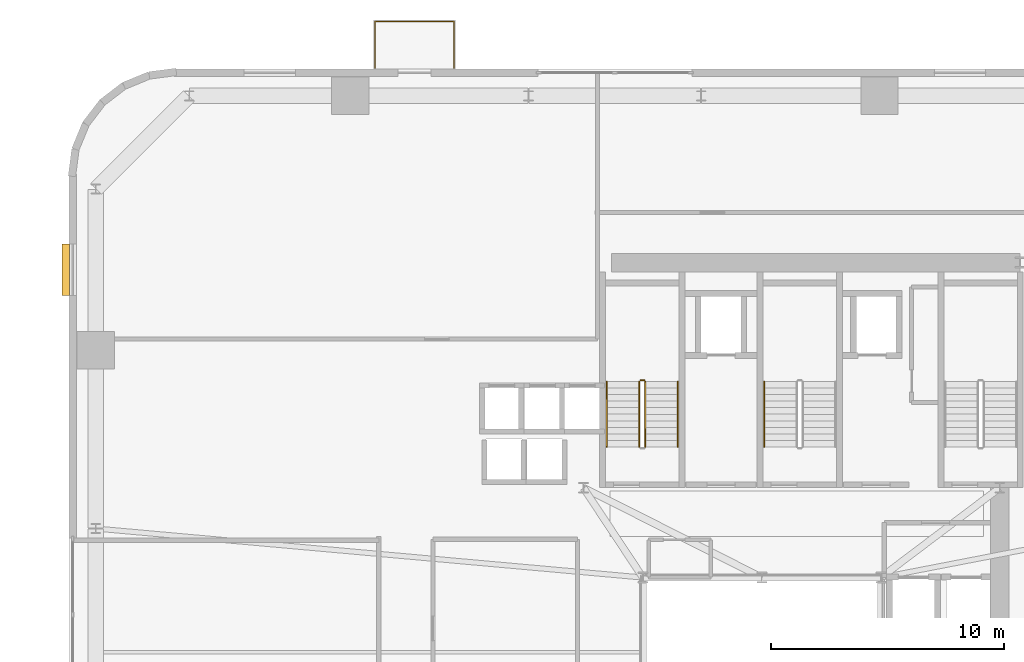
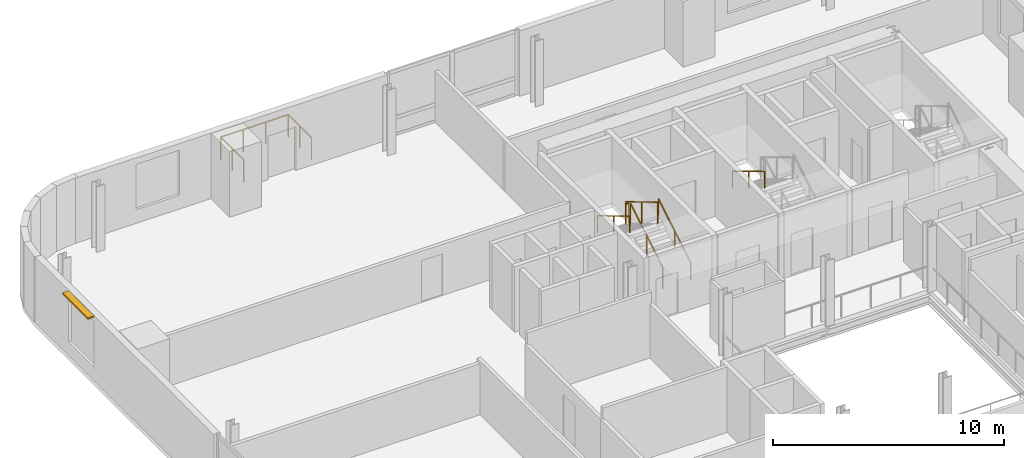
# One storey, part 13 of 14: 7 railings, 1 shading device.
"""IFC4 building model written with IfcOpenShell, lengths in metres."""

from ifc_helpers import new_model, si_unit, direction, frame, origin, origin_2d, place, context, subcontext, project, spatial, rectangle, extrude, source, transform, mapped, material, layer, layer_set, type_object, element, save


model = new_model("IFC4")

# Units and contexts
model_context = context("Model", 3, precision=1e-05, world=origin(), true_north=direction((0.0, 1.0)))
body_context = subcontext(model_context, "Body", "Model", "MODEL_VIEW")
ifc_project = project(units=[si_unit("LENGTHUNIT", "METRE"), si_unit("AREAUNIT", "SQUARE_METRE"), si_unit("VOLUMEUNIT", "CUBIC_METRE"), si_unit("PLANEANGLEUNIT", "RADIAN"), si_unit("MASSUNIT", "GRAM", prefix="KILO")], contexts=[model_context])

# Site, building, storey
site_placement = place(None, origin())
site = spatial("IfcSite", under=ifc_project, at=site_placement, CompositionType="ELEMENT")
building_placement = place(site_placement, origin())
building = spatial("IfcBuilding", under=site, at=building_placement, Name="Vardaveli Station Tower", CompositionType="ELEMENT")
storey_placement = place(building_placement, frame((0.0, 0.0, 122.39990234375)))
storey = spatial("IfcBuildingStorey", under=building, at=storey_placement, Name="L31", CompositionType="ELEMENT", Elevation=122.39990234375)

# Railing
ifc_material_1 = material(Name="Laminated glass and stainless steel balustrade", Category="steel")
railing_type_1 = type_object("IfcRailingType", Name="RL-BAL-1200", PredefinedType="BALUSTRADE", material=ifc_material_1)
shared_shape_1 = source(origin(), body_context, "Body", "SweptSolid", [
    extrude(rectangle(XDim=0.048095703125, YDim=0.048095703125, at=origin_2d()), frame((0.0, 0.0, 1.17578125), z_axis=(0.0, 1.0, 0.0), x_axis=(-1.0, 0.0, 0.0)), (0.0, 0.0, 1.0), 2.0),
    extrude(rectangle(XDim=0.048095703125, YDim=0.048095703125, at=origin_2d()), frame((0.0, 2.0, 1.17578125), z_axis=(1.0, 0.0, 0.0), x_axis=(0.0, 1.0, 0.0)), (0.0, 0.0, 1.0), 3.3798828125),
    extrude(rectangle(XDim=0.048095703125, YDim=0.048095703125, at=origin_2d()), frame((3.3798828125, 2.0, 1.17578125), z_axis=(0.0, -1.0, 0.0), x_axis=(1.0, 0.0, 0.0)), (0.0, 0.0, 1.0), 2.0),
    extrude(rectangle(XDim=0.0419921875, YDim=0.0419921875, at=origin_2d()), origin(), (0.0, 0.0, 1.0), 1.15185546875),
    extrude(rectangle(XDim=0.0419921875, YDim=0.0419921875, at=origin_2d()), frame((0.0, 1.0, 0.0)), (0.0, 0.0, 1.0), 1.15185546875),
    extrude(rectangle(XDim=0.0419921875, YDim=0.0419921875, at=origin_2d()), frame((0.0, 2.0, 0.0)), (0.0, 0.0, 1.0), 1.15185546875),
    extrude(rectangle(XDim=0.0419921875, YDim=0.0419921875, at=origin_2d()), frame((1.126708984375, 2.0, 0.0)), (0.0, 0.0, 1.0), 1.15185546875),
    extrude(rectangle(XDim=0.0419921875, YDim=0.0419921875, at=origin_2d()), frame((2.253173828125, 2.0, 0.0)), (0.0, 0.0, 1.0), 1.15185546875),
    extrude(rectangle(XDim=0.0419921875, YDim=0.0419921875, at=origin_2d()), frame((3.3798828125, 2.0, 0.0)), (0.0, 0.0, 1.0), 1.15185546875),
    extrude(rectangle(XDim=0.0419921875, YDim=0.0419921875, at=origin_2d()), frame((3.3798828125, 1.0, 0.0)), (0.0, 0.0, 1.0), 1.15185546875),
    extrude(rectangle(XDim=0.0419921875, YDim=0.0419921875, at=origin_2d()), frame((3.3798828125, 0.0, 0.0)), (0.0, 0.0, 1.0), 1.15185546875),
])
railing_1_placement = place(storey_placement, frame((19.720458984375, 48.639892578125, 0.0)))
element("IfcRailing", 1, at=railing_1_placement, inside=storey, type_object=railing_type_1, Name="RL-LOG-L31-02", PredefinedType="BALUSTRADE", context=body_context, shape_type="MappedRepresentation", body=[
    mapped(shared_shape_1, transform((0.0, 0.0, 0.0), scale=1.0)),
])

# Shading device
ifc_material_2 = material(Name="Anodised champagne aluminium sunshade", Category="aluminium")
ifc_layer = layer(ifc_material_2, 0.090087890625, Name="Anodised champagne aluminium sunshade")
ifc_layer_set = layer_set([ifc_layer], Name="Anodised champagne aluminium sunshade")
shading_device_type = type_object("IfcShadingDeviceType", Name="SHD-SUNSHADE", PredefinedType="USERDEFINED", material=ifc_layer_set)
shared_shape_2 = source(origin(), body_context, "Body", "SweptSolid", [
    extrude(rectangle(XDim=2.199951171875, YDim=0.320068359375, at=origin_2d()), origin(), (0.0, 0.0, 1.0), 0.090087890625),
])
shading_device_placement = place(storey_placement, frame((6.455078125, 39.9951171875, 3.33984375), z_axis=(0.0, 0.0, 1.0), x_axis=(0.0, 1.0, 0.0)))
element("IfcShadingDevice", 2, at=shading_device_placement, inside=storey, type_object=shading_device_type, Name="SHD-SS-L31-W", ObjectType="SUNSHADE", PredefinedType="USERDEFINED", context=body_context, shape_type="MappedRepresentation", body=[
    mapped(shared_shape_2, transform((0.0, 0.0, 0.0), scale=1.0)),
])

# Railings
ifc_material_3 = material(Name="Brushed AISI 316 stainless steel", Category="steel")
railing_type_2 = type_object("IfcRailingType", Name="RL-GUARD-1150", PredefinedType="GUARDRAIL", material=ifc_material_3)
shared_shape_3 = source(origin(), body_context, "Body", "SweptSolid", [
    extrude(rectangle(XDim=0.048095703125, YDim=0.048095703125, at=origin_2d()), frame((0.0, 0.0, 1.1259765625), z_axis=(-1.0, 0.0, 0.0), x_axis=(0.0, -1.0, 0.0)), (0.0, 0.0, 1.0), 0.14990234375),
    extrude(rectangle(XDim=0.0419921875, YDim=0.0419921875, at=origin_2d()), origin(), (0.0, 0.0, 1.0), 1.101806640625),
    extrude(rectangle(XDim=0.0419921875, YDim=0.0419921875, at=origin_2d()), frame((-0.14990234375, 0.0, 0.0)), (0.0, 0.0, 1.0), 1.101806640625),
])
railing_2_placement = place(storey_placement, frame((31.25, 35.25, 1.85009765625)))
element("IfcRailing", 3, at=railing_2_placement, inside=storey, type_object=railing_type_2, Name="L31 ST-1 stair guard 2", PredefinedType="GUARDRAIL", context=body_context, shape_type="MappedRepresentation", body=[
    mapped(shared_shape_3, transform((0.0, 0.0, 0.0), scale=1.0)),
])
shared_shape_4 = source(origin(), body_context, "Body", "SweptSolid", [
    extrude(rectangle(XDim=0.048095703125, YDim=0.048095703125, at=origin_2d()), frame((0.0, 0.0, 1.1259765625), z_axis=(0.0, -0.857242210791, 0.514913383045), x_axis=(1.0, 0.0, 0.0)), (0.0, 0.0, 1.0), 3.266357421875),
    extrude(rectangle(XDim=0.0419921875, YDim=0.0419921875, at=origin_2d()), origin(), (0.0, 0.0, 1.0), 1.101806640625),
    extrude(rectangle(XDim=0.0419921875, YDim=0.0419921875, at=origin_2d()), frame((0.0, -1.39990234375, 0.8408203125)), (0.0, 0.0, 1.0), 1.101806640625),
    extrude(rectangle(XDim=0.0419921875, YDim=0.0419921875, at=origin_2d()), frame((0.0, -2.800048828125, 1.681884765625)), (0.0, 0.0, 1.0), 1.101806640625),
])
railing_3_placement = place(storey_placement, frame((31.050048828125, 35.199951171875, 2.018310546875)))
element("IfcRailing", 4, at=railing_3_placement, inside=storey, type_object=railing_type_2, Name="L31 ST-1 stair guard 3", PredefinedType="GUARDRAIL", context=body_context, shape_type="MappedRepresentation", body=[
    mapped(shared_shape_4, transform((0.0, 0.0, 0.0), scale=1.0)),
])
railing_type_3 = type_object("IfcRailingType", Name="RL-HAND-900", PredefinedType="HANDRAIL", material=ifc_material_3)
shared_shape_5 = source(origin(), body_context, "Body", "SweptSolid", [
    extrude(rectangle(XDim=0.048095703125, YDim=0.048095703125, at=origin_2d()), frame((0.0, 0.0, 0.8759765625), z_axis=(0.0, -0.857242210791, 0.514913383045), x_axis=(1.0, 0.0, 0.0)), (0.0, 0.0, 1.0), 3.266357421875),
    extrude(rectangle(XDim=0.0419921875, YDim=0.0419921875, at=origin_2d()), origin(), (0.0, 0.0, 1.0), 0.851806640625),
    extrude(rectangle(XDim=0.0419921875, YDim=0.0419921875, at=origin_2d()), frame((0.0, -1.39990234375, 0.8408203125)), (0.0, 0.0, 1.0), 0.851806640625),
    extrude(rectangle(XDim=0.0419921875, YDim=0.0419921875, at=origin_2d()), frame((0.0, -2.800048828125, 1.681884765625)), (0.0, 0.0, 1.0), 0.851806640625),
])
for number, where, name in (
    (5, (29.64990234375, 35.199951171875, 2.018310546875), "L31 ST-1 stair handrail 2"),
    (6, (36.39990234375, 35.199951171875, 2.018310546875), "L31 ST-2 stair handrail 2"),
):
    element("IfcRailing", number, at=place(storey_placement, frame(where)), inside=storey, type_object=railing_type_3, Name=name, PredefinedType="HANDRAIL", context=body_context, shape_type="MappedRepresentation", body=[
        mapped(shared_shape_5, transform((0.0, 0.0, 0.0), scale=1.0)),
    ])
shared_shape_6 = source(origin(), body_context, "Body", "SweptSolid", [
    extrude(rectangle(XDim=0.048095703125, YDim=0.048095703125, at=origin_2d()), frame((0.0, 0.0, 1.1259765625), z_axis=(0.0, 0.857242210791, 0.514913383045), x_axis=(-1.0, 0.0, 0.0)), (0.0, 0.0, 1.0), 3.266357421875),
    extrude(rectangle(XDim=0.0419921875, YDim=0.0419921875, at=origin_2d()), origin(), (0.0, 0.0, 1.0), 1.101806640625),
    extrude(rectangle(XDim=0.0419921875, YDim=0.0419921875, at=origin_2d()), frame((0.0, 1.39990234375, 0.8408203125)), (0.0, 0.0, 1.0), 1.101806640625),
    extrude(rectangle(XDim=0.0419921875, YDim=0.0419921875, at=origin_2d()), frame((0.0, 2.800048828125, 1.681884765625)), (0.0, 0.0, 1.0), 1.101806640625),
])
railing_4_placement = place(storey_placement, frame((31.300048828125, 32.39990234375, 0.168212890625)))
element("IfcRailing", 7, at=railing_4_placement, inside=storey, type_object=railing_type_2, Name="L31 ST-1 stair guard 1", PredefinedType="GUARDRAIL", context=body_context, shape_type="MappedRepresentation", body=[
    mapped(shared_shape_6, transform((0.0, 0.0, 0.0), scale=1.0)),
])
shared_shape_7 = source(origin(), body_context, "Body", "SweptSolid", [
    extrude(rectangle(XDim=0.048095703125, YDim=0.048095703125, at=origin_2d()), frame((0.0, 0.0, 0.8759765625), z_axis=(0.0, 0.857242210791, 0.514913383045), x_axis=(-1.0, 0.0, 0.0)), (0.0, 0.0, 1.0), 3.266357421875),
    extrude(rectangle(XDim=0.0419921875, YDim=0.0419921875, at=origin_2d()), origin(), (0.0, 0.0, 1.0), 0.851806640625),
    extrude(rectangle(XDim=0.0419921875, YDim=0.0419921875, at=origin_2d()), frame((0.0, 1.39990234375, 0.8408203125)), (0.0, 0.0, 1.0), 0.851806640625),
    extrude(rectangle(XDim=0.0419921875, YDim=0.0419921875, at=origin_2d()), frame((0.0, 2.800048828125, 1.681884765625)), (0.0, 0.0, 1.0), 0.851806640625),
])
railing_5_placement = place(storey_placement, frame((32.699951171875, 32.39990234375, 0.168212890625)))
element("IfcRailing", 8, at=railing_5_placement, inside=storey, type_object=railing_type_3, Name="L31 ST-1 stair handrail 1", PredefinedType="HANDRAIL", context=body_context, shape_type="MappedRepresentation", body=[
    mapped(shared_shape_7, transform((0.0, 0.0, 0.0), scale=1.0)),
])

save(model, "model.ifc")
